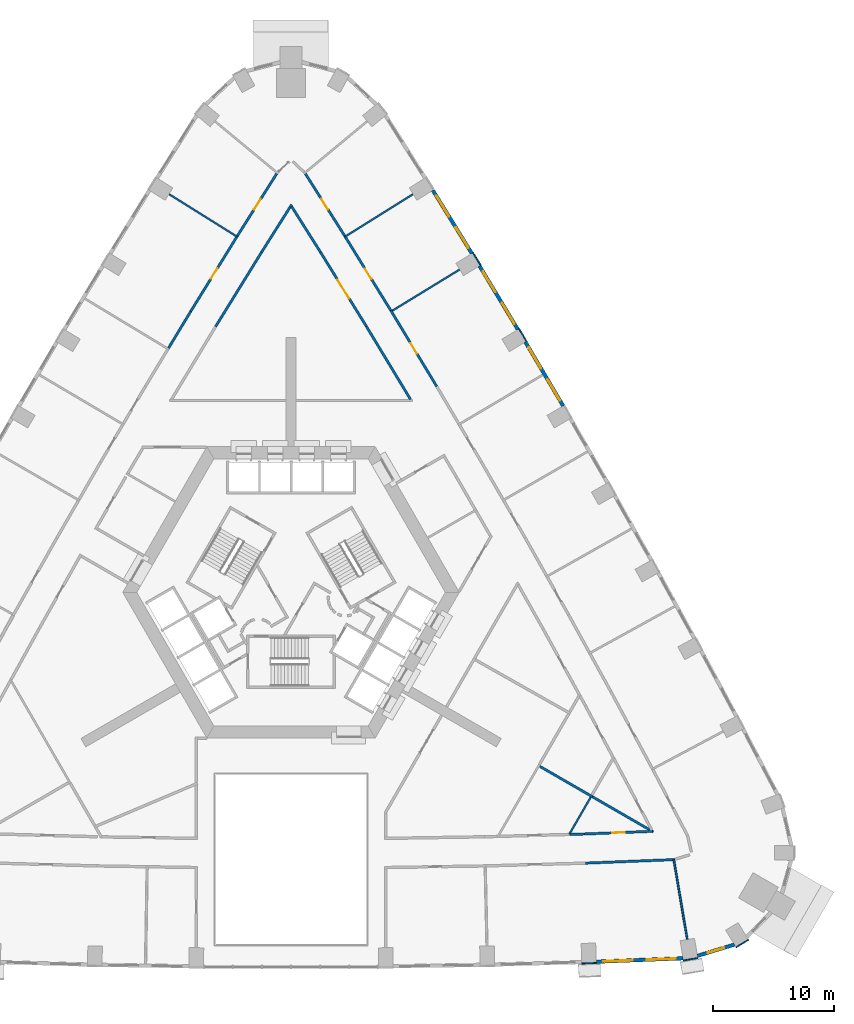
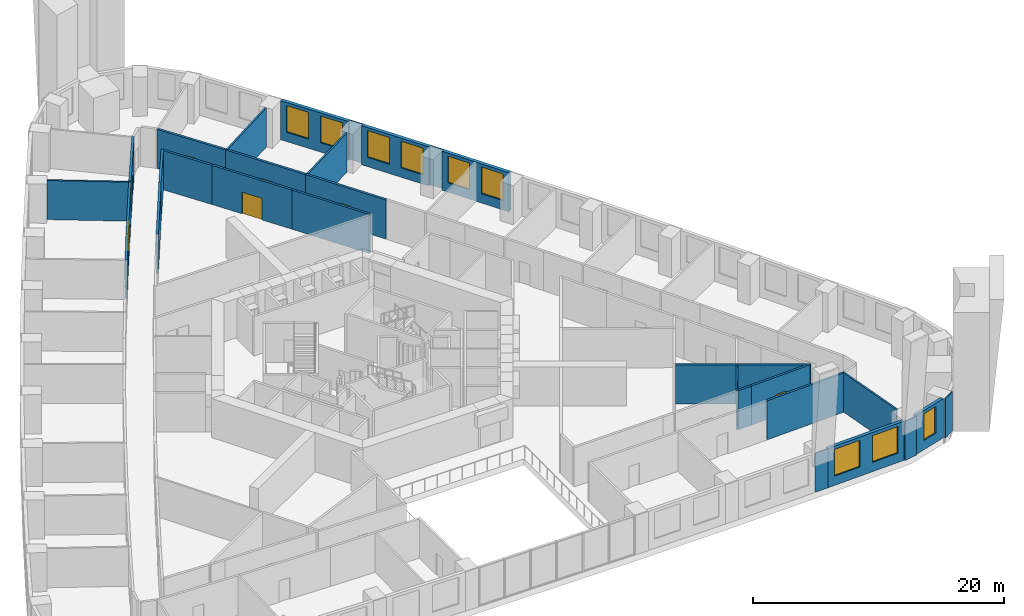
# One storey, part 10 of 15: 31 walls, 9 windows, 7 doors, 16 openings.
"""IFC4 building model written with IfcOpenShell, lengths in metres."""

from ifc_helpers import new_model, si_unit, direction, frame, frame_2d, origin, place, context, subcontext, project, spatial, rectangle, extrude, material, layer, layer_set, type_object, element, fill, save


model = new_model("IFC4")

# Units and contexts
model_context = context("Model", 3, precision=1e-05, world=origin(), true_north=direction((0.0, 1.0)))
body_context = subcontext(model_context, "Body", "Model", "MODEL_VIEW")
ifc_project = project(units=[si_unit("LENGTHUNIT", "METRE"), si_unit("AREAUNIT", "SQUARE_METRE"), si_unit("VOLUMEUNIT", "CUBIC_METRE"), si_unit("PLANEANGLEUNIT", "RADIAN"), si_unit("MASSUNIT", "GRAM", prefix="KILO")], contexts=[model_context])

# Site, building, storey
site_placement = place(None, origin())
site = spatial("IfcSite", under=ifc_project, at=site_placement, CompositionType="ELEMENT")
building_placement = place(site_placement, origin())
building = spatial("IfcBuilding", under=site, at=building_placement, Name="Entoto Arch Interchange Tower", CompositionType="ELEMENT")
storey_placement = place(building_placement, frame((0.0, 0.0, 35.0)))
storey = spatial("IfcBuildingStorey", under=building, at=storey_placement, Name="L06", CompositionType="ELEMENT", Elevation=35.0)

# Walls
ifc_material_1 = material(Name="Gypsum board partition on steel studs", Category="steel")
ifc_layer_1 = layer(ifc_material_1, 0.14990234375)
ifc_layer_set_1 = layer_set([ifc_layer_1], Name="Gypsum board partition on steel studs")
wall_type_1 = type_object("IfcWallType", Name="PARTITION 150", PredefinedType="PARTITIONING", material=ifc_layer_set_1)
wall_1_placement = place(storey_placement, frame((24.675048828125, -14.362060546875, 0.0), z_axis=(0.0, 0.0, 1.0), x_axis=(-0.500187988959, -0.865916841101, 0.0)))
element("IfcWall", 1, at=wall_1_placement, inside=storey, type_object=wall_type_1, Name="wall:L06:p118", PredefinedType="PARTITIONING", context=body_context, shape_type="SweptSolid", body=[
    extrude(rectangle(XDim=3.540771484375, YDim=0.14990234375, at=frame_2d((1.7705078125, 0.0))), origin(), (0.0, 0.0, 1.0), 3.800048828125),
])
wall_2_placement = place(storey_placement, frame((31.514892578125, -19.506103515625, 0.0), z_axis=(0.0, 0.0, 1.0), x_axis=(0.166785823947, -0.985993148521, 0.0)))
element("IfcWall", 2, at=wall_2_placement, inside=storey, type_object=wall_type_1, Name="wall:L06:p127", PredefinedType="PARTITIONING", context=body_context, shape_type="SweptSolid", body=[
    extrude(rectangle(XDim=6.650146484375, YDim=0.14990234375, at=frame_2d((3.3251953125, 0.0))), origin(), (0.0, 0.0, 1.0), 3.800048828125),
])
wall_3_placement = place(storey_placement, frame((8.342041015625, 25.696044921875, 0.0), z_axis=(0.0, 0.0, 1.0), x_axis=(0.853252966465, 0.521497243731, 0.0)))
element("IfcWall", 3, at=wall_3_placement, inside=storey, type_object=wall_type_1, Name="wall:L06:p133", PredefinedType="PARTITIONING", context=body_context, shape_type="SweptSolid", body=[
    extrude(rectangle(XDim=6.481201171875, YDim=0.14990234375, at=frame_2d((3.24072265625, 0.0))), origin(), (0.0, 0.0, 1.0), 3.800048828125),
])
for number, where, z_axis, x_axis, name in (
    (4, (4.4541015625, 31.7958984375, 0.0), (0.0, 0.0, 1.0), (0.847954529694, 0.530068972467, 0.0), "wall:L06:p134"),
    (5, (-4.4541015625, 31.7958984375, 0.0), (0.0, 0.0, 1.0), (-0.847954529694, 0.530068972467, 0.0), "wall:L06:p137"),
):
    element("IfcWall", number, at=place(storey_placement, frame(where, z_axis=z_axis, x_axis=x_axis)), inside=storey, type_object=wall_type_1, Name=name, PredefinedType="PARTITIONING", context=body_context, shape_type="SweptSolid", body=[
        extrude(rectangle(XDim=6.580322265625, YDim=0.14990234375, at=frame_2d((3.2900390625, 0.0))), origin(), (0.0, 0.0, 1.0), 3.800048828125),
    ])
ifc_layer_2 = layer(ifc_material_1, 0.199951171875)
ifc_layer_set_2 = layer_set([ifc_layer_2], Name="Gypsum board partition on steel studs")
wall_type_2 = type_object("IfcWallType", Name="PARTITION 200", PredefinedType="PARTITIONING", material=ifc_layer_set_2)
wall_4_placement = place(storey_placement, frame((9.840087890625, 18.385986328125, 0.0), z_axis=(0.0, 0.0, 1.0), x_axis=(-0.51736780002, 0.85576314451, 0.0)))
element("IfcWall", 6, at=wall_4_placement, inside=storey, type_object=wall_type_2, Name="wall:L06:p008", PredefinedType="PARTITIONING", context=body_context, shape_type="SweptSolid", body=[
    extrude(rectangle(XDim=7.018310546875, YDim=0.199951171875, at=frame_2d((3.50927734375, 0.0))), origin(), (0.0, 0.0, 1.0), 3.800048828125),
])

# Wall, opening, door
wall_5_placement = place(storey_placement, frame((6.208984375, 24.39208984375, 0.0), z_axis=(0.0, 0.0, 1.0), x_axis=(-0.525766851327, 0.850628719269, 0.0)))
wall_5 = element("IfcWall", 7, at=wall_5_placement, inside=storey, type_object=wall_type_2, Name="wall:L06:p009", PredefinedType="PARTITIONING", context=body_context, shape_type="SweptSolid", body=[
    extrude(rectangle(XDim=7.20849609375, YDim=0.199951171875, at=frame_2d((3.604248046875, 0.0))), origin(), (0.0, 0.0, 1.0), 3.800048828125),
])
opening_1_placement = place(wall_5_placement, frame((2.7041015625, 0.0, 0.0)))
opening_1 = element("IfcOpeningElement", 8, at=opening_1_placement, cuts=wall_5, Name="Opening L06-D29", PredefinedType="OPENING", context=body_context, shape_type="SweptSolid", body=[
    extrude(rectangle(XDim=1.800048828125, YDim=2.10009765625, at=frame_2d((0.89990234375, 1.050048828125))), frame((0.0, 0.10986328125, 0.0), z_axis=(0.0, -1.0, 0.0), x_axis=(1.0, 0.0, 0.0)), (0.0, 0.0, 1.0), 0.219970703125),
])
ifc_material_2 = material(Name="Timber door leaf in Steel S235 frame", Category="steel")
door_type_1 = type_object("IfcDoorType", Name="DOOR DD-18 1800x2100", OperationType="DOUBLE_DOOR_SINGLE_SWING", PredefinedType="DOOR", material=ifc_material_2)
door_1_placement = place(opening_1_placement, origin())
door_1 = element("IfcDoor", 9, at=door_1_placement, inside=storey, type_object=door_type_1, Name="door:L06:29", OperationType="DOUBLE_DOOR_SINGLE_SWING", OverallHeight=2.10009765625, OverallWidth=1.800048828125, PredefinedType="DOOR", context=body_context, shape_type="SweptSolid", body=[
    extrude(rectangle(XDim=1.800048828125, YDim=2.10009765625, at=frame_2d((0.89990234375, 1.050048828125))), frame((0.0, 0.02490234375, 0.0), z_axis=(0.0, -1.0, 0.0), x_axis=(1.0, 0.0, 0.0)), (0.0, 0.0, 1.0), 0.050048828125),
])
fill(opening_1, door_1)

# Walls
wall_6_placement = place(storey_placement, frame((2.4189453125, 30.52392578125, 0.0), z_axis=(0.0, 0.0, 1.0), x_axis=(-0.534393348019, 0.845235913573, 0.0)))
element("IfcWall", 10, at=wall_6_placement, inside=storey, type_object=wall_type_2, Name="wall:L06:p010", PredefinedType="PARTITIONING", context=body_context, shape_type="SweptSolid", body=[
    extrude(rectangle(XDim=4.427490234375, YDim=0.199951171875, at=frame_2d((2.2138671875, 0.0))), origin(), (0.0, 0.0, 1.0), 3.800048828125),
])
wall_7_placement = place(storey_placement, frame((0.052978515625, 34.43505859375, 0.0), z_axis=(0.0, 0.0, 1.0), x_axis=(-0.534260976666, -0.845319589748, 0.0)))
element("IfcWall", 11, at=wall_7_placement, inside=storey, type_object=wall_type_2, Name="wall:L06:p011", PredefinedType="PARTITIONING", context=body_context, shape_type="SweptSolid", body=[
    extrude(rectangle(XDim=4.626708984375, YDim=0.199951171875, at=frame_2d((2.3134765625, 0.0))), origin(), (0.0, 0.0, 1.0), 3.800048828125),
])
wall_8_placement = place(storey_placement, frame((-2.4189453125, 30.52392578125, 0.0), z_axis=(0.0, 0.0, 1.0), x_axis=(-0.525766851327, -0.850628719269, 0.0)))
element("IfcWall", 12, at=wall_8_placement, inside=storey, type_object=wall_type_2, Name="wall:L06:p012", PredefinedType="PARTITIONING", context=body_context, shape_type="SweptSolid", body=[
    extrude(rectangle(XDim=7.20849609375, YDim=0.199951171875, at=frame_2d((3.604248046875, 0.0))), origin(), (0.0, 0.0, 1.0), 3.800048828125),
])
wall_9_placement = place(storey_placement, frame((22.97900390625, -17.426025390625, 0.0), z_axis=(0.0, 0.0, 1.0), x_axis=(0.999623609507, 0.027434272674, 0.0)))
element("IfcWall", 13, at=wall_9_placement, inside=storey, type_object=wall_type_2, Name="wall:L06:p021", PredefinedType="PARTITIONING", context=body_context, shape_type="SweptSolid", body=[
    extrude(rectangle(XDim=1.201416015625, YDim=0.199951171875, at=frame_2d((0.6005859375, 0.0))), origin(), (0.0, 0.0, 1.0), 3.800048828125),
])

# Wall, opening, door
wall_10_placement = place(storey_placement, frame((24.179931640625, -17.39306640625, 0.0), z_axis=(0.0, 0.0, 1.0), x_axis=(0.999226657848, 0.039320303228, 0.0)))
wall_10 = element("IfcWall", 14, at=wall_10_placement, inside=storey, type_object=wall_type_2, Name="wall:L06:p022", PredefinedType="PARTITIONING", context=body_context, shape_type="SweptSolid", body=[
    extrude(rectangle(XDim=5.569580078125, YDim=0.199951171875, at=frame_2d((2.78466796875, 0.0))), origin(), (0.0, 0.0, 1.0), 3.800048828125),
])
opening_2_placement = place(wall_10_placement, frame((2.283935546875, 0.0, 0.0)))
opening_2 = element("IfcOpeningElement", 15, at=opening_2_placement, cuts=wall_10, Name="Opening L06-D27", PredefinedType="OPENING", context=body_context, shape_type="SweptSolid", body=[
    extrude(rectangle(XDim=1.0, YDim=2.10009765625, at=frame_2d((0.5, 1.050048828125))), frame((0.0, 0.10986328125, 0.0), z_axis=(0.0, -1.0, 0.0), x_axis=(1.0, 0.0, 0.0)), (0.0, 0.0, 1.0), 0.219970703125),
])
door_type_2 = type_object("IfcDoorType", Name="DOOR DS-10 1000x2100", OperationType="SINGLE_SWING_LEFT", PredefinedType="DOOR", material=ifc_material_2)
door_2_placement = place(opening_2_placement, origin())
door_2 = element("IfcDoor", 16, at=door_2_placement, inside=storey, type_object=door_type_2, Name="door:L06:27", OperationType="SINGLE_SWING_LEFT", OverallHeight=2.10009765625, OverallWidth=1.0, PredefinedType="DOOR", context=body_context, shape_type="SweptSolid", body=[
    extrude(rectangle(XDim=1.0, YDim=2.10009765625, at=frame_2d((0.5, 1.050048828125))), frame((0.0, 0.02490234375, 0.0), z_axis=(0.0, -1.0, 0.0), x_axis=(1.0, 0.0, 0.0)), (0.0, 0.0, 1.0), 0.050048828125),
])
fill(opening_2, door_2)

# Wall
wall_11_placement = place(storey_placement, frame((31.614990234375, -19.5029296875, 0.0), z_axis=(0.0, 0.0, 1.0), x_axis=(-0.999228381006, -0.039276489048, 0.0)))
element("IfcWall", 17, at=wall_11_placement, inside=storey, type_object=wall_type_2, Name="wall:L06:p036", PredefinedType="PARTITIONING", context=body_context, shape_type="SweptSolid", body=[
    extrude(rectangle(XDim=7.359619140625, YDim=0.199951171875, at=frame_2d((3.6796875, 0.0))), origin(), (0.0, 0.0, 1.0), 3.800048828125),
])

# Wall, opening, door
wall_12_placement = place(storey_placement, frame((8.218017578125, 25.7080078125, 0.0), z_axis=(0.0, 0.0, 1.0), x_axis=(0.517278800461, -0.855816944559, 0.0)))
wall_12 = element("IfcWall", 18, at=wall_12_placement, inside=storey, type_object=wall_type_2, Name="wall:L06:p049", PredefinedType="PARTITIONING", context=body_context, shape_type="SweptSolid", body=[
    extrude(rectangle(XDim=7.3076171875, YDim=0.199951171875, at=frame_2d((3.65380859375, 0.0))), origin(), (0.0, 0.0, 1.0), 3.800048828125),
])
opening_3_placement = place(wall_12_placement, frame((3.154052734375, 0.0, 0.0)))
opening_3 = element("IfcOpeningElement", 19, at=opening_3_placement, cuts=wall_12, Name="Opening L06-D08", PredefinedType="OPENING", context=body_context, shape_type="SweptSolid", body=[
    extrude(rectangle(XDim=1.0, YDim=2.10009765625, at=frame_2d((0.5, 1.050048828125))), frame((0.0, 0.10986328125, 0.0), z_axis=(0.0, -1.0, 0.0), x_axis=(1.0, 0.0, 0.0)), (0.0, 0.0, 1.0), 0.219970703125),
])
door_3_placement = place(opening_3_placement, origin())
door_3 = element("IfcDoor", 20, at=door_3_placement, inside=storey, type_object=door_type_2, Name="door:L06:08", OperationType="SINGLE_SWING_LEFT", OverallHeight=2.10009765625, OverallWidth=1.0, PredefinedType="DOOR", context=body_context, shape_type="SweptSolid", body=[
    extrude(rectangle(XDim=1.0, YDim=2.10009765625, at=frame_2d((0.5, 1.050048828125))), frame((0.0, 0.02490234375, 0.0), z_axis=(0.0, -1.0, 0.0), x_axis=(1.0, 0.0, 0.0)), (0.0, 0.0, 1.0), 0.050048828125),
])
fill(opening_3, door_3)

wall_13_placement = place(storey_placement, frame((4.4140625, 31.860107421875, 0.0), z_axis=(0.0, 0.0, 1.0), x_axis=(0.525906013367, -0.850542688584, 0.0)))
wall_13 = element("IfcWall", 21, at=wall_13_placement, inside=storey, type_object=wall_type_2, Name="wall:L06:p051", PredefinedType="PARTITIONING", context=body_context, shape_type="SweptSolid", body=[
    extrude(rectangle(XDim=7.233154296875, YDim=0.199951171875, at=frame_2d((3.61669921875, 0.0))), origin(), (0.0, 0.0, 1.0), 3.800048828125),
])
opening_4_placement = place(wall_13_placement, frame((3.19091796875, 0.0, 0.0)))
opening_4 = element("IfcOpeningElement", 22, at=opening_4_placement, cuts=wall_13, Name="Opening L06-D09", PredefinedType="OPENING", context=body_context, shape_type="SweptSolid", body=[
    extrude(rectangle(XDim=1.0, YDim=2.10009765625, at=frame_2d((0.5, 1.050048828125))), frame((0.0, 0.10986328125, 0.0), z_axis=(0.0, -1.0, 0.0), x_axis=(1.0, 0.0, 0.0)), (0.0, 0.0, 1.0), 0.219970703125),
])
door_4_placement = place(opening_4_placement, origin())
door_4 = element("IfcDoor", 23, at=door_4_placement, inside=storey, type_object=door_type_2, Name="door:L06:09", OperationType="SINGLE_SWING_LEFT", OverallHeight=2.10009765625, OverallWidth=1.0, PredefinedType="DOOR", context=body_context, shape_type="SweptSolid", body=[
    extrude(rectangle(XDim=1.0, YDim=2.10009765625, at=frame_2d((0.5, 1.050048828125))), frame((0.0, 0.02490234375, 0.0), z_axis=(0.0, -1.0, 0.0), x_axis=(1.0, 0.0, 0.0)), (0.0, 0.0, 1.0), 0.050048828125),
])
fill(opening_4, door_4)

wall_14_placement = place(storey_placement, frame((1.123046875, 37.06494140625, 0.0), z_axis=(0.0, 0.0, 1.0), x_axis=(0.534428477307, -0.845213702352, 0.0)))
wall_14 = element("IfcWall", 24, at=wall_14_placement, inside=storey, type_object=wall_type_2, Name="wall:L06:p052", PredefinedType="PARTITIONING", context=body_context, shape_type="SweptSolid", body=[
    extrude(rectangle(XDim=6.157958984375, YDim=0.199951171875, at=frame_2d((3.0791015625, 0.0))), origin(), (0.0, 0.0, 1.0), 3.800048828125),
])
opening_5_placement = place(wall_14_placement, frame((2.5791015625, 0.0, 0.0)))
opening_5 = element("IfcOpeningElement", 25, at=opening_5_placement, cuts=wall_14, Name="Opening L06-D10", PredefinedType="OPENING", context=body_context, shape_type="SweptSolid", body=[
    extrude(rectangle(XDim=1.0, YDim=2.10009765625, at=frame_2d((0.5, 1.050048828125))), frame((0.0, 0.10986328125, 0.0), z_axis=(0.0, -1.0, 0.0), x_axis=(1.0, 0.0, 0.0)), (0.0, 0.0, 1.0), 0.219970703125),
])
door_5_placement = place(opening_5_placement, origin())
door_5 = element("IfcDoor", 26, at=door_5_placement, inside=storey, type_object=door_type_2, Name="door:L06:10", OperationType="SINGLE_SWING_LEFT", OverallHeight=2.10009765625, OverallWidth=1.0, PredefinedType="DOOR", context=body_context, shape_type="SweptSolid", body=[
    extrude(rectangle(XDim=1.0, YDim=2.10009765625, at=frame_2d((0.5, 1.050048828125))), frame((0.0, 0.02490234375, 0.0), z_axis=(0.0, -1.0, 0.0), x_axis=(1.0, 0.0, 0.0)), (0.0, 0.0, 1.0), 0.050048828125),
])
fill(opening_5, door_5)

wall_15_placement = place(storey_placement, frame((-4.4140625, 31.860107421875, 0.0), z_axis=(0.0, 0.0, 1.0), x_axis=(0.534428477307, 0.845213702352, 0.0)))
wall_15 = element("IfcWall", 27, at=wall_15_placement, inside=storey, type_object=wall_type_2, Name="wall:L06:p055", PredefinedType="PARTITIONING", context=body_context, shape_type="SweptSolid", body=[
    extrude(rectangle(XDim=6.157958984375, YDim=0.199951171875, at=frame_2d((3.0791015625, 0.0))), origin(), (0.0, 0.0, 1.0), 3.800048828125),
])
opening_6_placement = place(wall_15_placement, frame((2.5791015625, 0.0, 0.0)))
opening_6 = element("IfcOpeningElement", 28, at=opening_6_placement, cuts=wall_15, Name="Opening L06-D12", PredefinedType="OPENING", context=body_context, shape_type="SweptSolid", body=[
    extrude(rectangle(XDim=1.0, YDim=2.10009765625, at=frame_2d((0.5, 1.050048828125))), frame((0.0, 0.10986328125, 0.0), z_axis=(0.0, -1.0, 0.0), x_axis=(1.0, 0.0, 0.0)), (0.0, 0.0, 1.0), 0.219970703125),
])
door_6_placement = place(opening_6_placement, origin())
door_6 = element("IfcDoor", 29, at=door_6_placement, inside=storey, type_object=door_type_2, Name="door:L06:12", OperationType="SINGLE_SWING_LEFT", OverallHeight=2.10009765625, OverallWidth=1.0, PredefinedType="DOOR", context=body_context, shape_type="SweptSolid", body=[
    extrude(rectangle(XDim=1.0, YDim=2.10009765625, at=frame_2d((0.5, 1.050048828125))), frame((0.0, 0.02490234375, 0.0), z_axis=(0.0, -1.0, 0.0), x_axis=(1.0, 0.0, 0.0)), (0.0, 0.0, 1.0), 0.050048828125),
])
fill(opening_6, door_6)

# Wall
wall_16_placement = place(storey_placement, frame((-10.089111328125, 22.613037109375, 0.0), z_axis=(0.0, 0.0, 1.0), x_axis=(0.517280808896, 0.855815730603, 0.0)))
element("IfcWall", 30, at=wall_16_placement, inside=storey, type_object=wall_type_2, Name="wall:L06:p056", PredefinedType="PARTITIONING", context=body_context, shape_type="SweptSolid", body=[
    extrude(rectangle(XDim=3.541748046875, YDim=0.199951171875, at=frame_2d((1.77099609375, 0.0))), origin(), (0.0, 0.0, 1.0), 3.800048828125),
])

# Wall, opening, door
wall_17_placement = place(storey_placement, frame((-8.257080078125, 25.64404296875, 0.0), z_axis=(0.0, 0.0, 1.0), x_axis=(0.525857693262, 0.850572563887, 0.0)))
wall_17 = element("IfcWall", 31, at=wall_17_placement, inside=storey, type_object=wall_type_2, Name="wall:L06:p057", PredefinedType="PARTITIONING", context=body_context, shape_type="SweptSolid", body=[
    extrude(rectangle(XDim=7.30810546875, YDim=0.199951171875, at=frame_2d((3.654052734375, 0.0))), origin(), (0.0, 0.0, 1.0), 3.800048828125),
])
opening_7_placement = place(wall_17_placement, frame((3.154052734375, 0.0, 0.0)))
opening_7 = element("IfcOpeningElement", 32, at=opening_7_placement, cuts=wall_17, Name="Opening L06-D13", PredefinedType="OPENING", context=body_context, shape_type="SweptSolid", body=[
    extrude(rectangle(XDim=1.0, YDim=2.10009765625, at=frame_2d((0.5, 1.050048828125))), frame((0.0, 0.10986328125, 0.0), z_axis=(0.0, -1.0, 0.0), x_axis=(1.0, 0.0, 0.0)), (0.0, 0.0, 1.0), 0.219970703125),
])
door_7_placement = place(opening_7_placement, origin())
door_7 = element("IfcDoor", 33, at=door_7_placement, inside=storey, type_object=door_type_2, Name="door:L06:13", OperationType="SINGLE_SWING_LEFT", OverallHeight=2.10009765625, OverallWidth=1.0, PredefinedType="DOOR", context=body_context, shape_type="SweptSolid", body=[
    extrude(rectangle(XDim=1.0, YDim=2.10009765625, at=frame_2d((0.5, 1.050048828125))), frame((0.0, 0.02490234375, 0.0), z_axis=(0.0, -1.0, 0.0), x_axis=(1.0, 0.0, 0.0)), (0.0, 0.0, 1.0), 0.050048828125),
])
fill(opening_7, door_7)

# Walls
wall_18_placement = place(storey_placement, frame((20.48193359375, -11.823974609375, 0.0), z_axis=(0.0, 0.0, 1.0), x_axis=(0.866022959057, -0.500004234368, 0.0)))
element("IfcWall", 34, at=wall_18_placement, inside=storey, type_object=wall_type_2, Name="wall:L06:p117", PredefinedType="PARTITIONING", context=body_context, shape_type="SweptSolid", body=[
    extrude(rectangle(XDim=5.0, YDim=0.199951171875, at=frame_2d((2.5, 0.0))), origin(), (0.0, 0.0, 1.0), 3.800048828125),
])
wall_19_placement = place(storey_placement, frame((24.81103515625, -14.325927734375, 0.0), z_axis=(0.0, 0.0, 1.0), x_axis=(0.866076195524, -0.499912015806, 0.0)))
element("IfcWall", 35, at=wall_19_placement, inside=storey, type_object=wall_type_2, Name="wall:L06:p120", PredefinedType="PARTITIONING", context=body_context, shape_type="SweptSolid", body=[
    extrude(rectangle(XDim=5.79736328125, YDim=0.199951171875, at=frame_2d((2.898681640625, 0.0))), origin(), (0.0, 0.0, 1.0), 3.800048828125),
])

# Wall, openings, windows
ifc_material_3 = material(Name="Welded tuff (ignimbrite) cladding, warm buff", Category="masonry")
ifc_layer_3 = layer(ifc_material_3, 0.300048828125)
ifc_layer_set_3 = layer_set([ifc_layer_3], Name="Welded tuff (ignimbrite) cladding, warm buff")
wall_type_3 = type_object("IfcWallType", Name="STONE INFILL WALL 300", PredefinedType="STANDARD", material=ifc_layer_set_3)
wall_20_placement = place(storey_placement, frame((25.134033203125, -27.9140625, 0.0), z_axis=(0.0, 0.0, 1.0), x_axis=(0.999228146648, 0.039282450878, 0.0)))
wall_20 = element("IfcWall", 36, at=wall_20_placement, inside=storey, type_object=wall_type_3, Name="Facade wall S-07 L06", PredefinedType="STANDARD", context=body_context, shape_type="SweptSolid", body=[
    extrude(rectangle(XDim=7.153564453125, YDim=0.300048828125, at=frame_2d((3.57666015625, 0.0))), origin(), (0.0, 0.0, 1.0), 3.800048828125),
])
opening_8_placement = place(wall_20_placement, frame((0.587890625, 0.0, 0.89990234375)))
opening_8 = element("IfcOpeningElement", 37, at=opening_8_placement, cuts=wall_20, Name="Opening WO-A", PredefinedType="OPENING", context=body_context, shape_type="SweptSolid", body=[
    extrude(rectangle(XDim=2.39990234375, YDim=2.60009765625, at=frame_2d((1.199951171875, 1.300048828125))), frame((0.0, 0.16015625, 0.0), z_axis=(0.0, -1.0, 0.0), x_axis=(1.0, 0.0, 0.0)), (0.0, 0.0, 1.0), 0.320068359375),
])
opening_9_placement = place(wall_20_placement, frame((4.1650390625, 0.0, 0.89990234375)))
opening_9 = element("IfcOpeningElement", 38, at=opening_9_placement, cuts=wall_20, Name="Opening WO-A", PredefinedType="OPENING", context=body_context, shape_type="SweptSolid", body=[
    extrude(rectangle(XDim=2.39990234375, YDim=2.60009765625, at=frame_2d((1.199951171875, 1.300048828125))), frame((0.0, 0.16015625, 0.0), z_axis=(0.0, -1.0, 0.0), x_axis=(1.0, 0.0, 0.0)), (0.0, 0.0, 1.0), 0.320068359375),
])
ifc_material_4 = material(Name="Clear glass, low-e double glazed", Category="glass")
window_type_1 = type_object("IfcWindowType", Name="WINDOW WO-A 2400x2600", PartitioningType="DOUBLE_PANEL_VERTICAL", PredefinedType="WINDOW", material=ifc_material_4)
window_1_placement = place(opening_8_placement, origin())
window_1 = element("IfcWindow", 39, at=window_1_placement, inside=storey, type_object=window_type_1, Name="Window WO-A S-07 L06", OverallHeight=2.60009765625, OverallWidth=2.39990234375, PartitioningType="SINGLE_PANEL", PredefinedType="WINDOW", context=body_context, shape_type="SweptSolid", body=[
    extrude(rectangle(XDim=2.39990234375, YDim=2.60009765625, at=frame_2d((1.199951171875, 1.300048828125))), frame((0.0, 0.030029296875, 0.0), z_axis=(0.0, -1.0, 0.0), x_axis=(1.0, 0.0, 0.0)), (0.0, 0.0, 1.0), 0.06005859375),
])
fill(opening_8, window_1)
window_2_placement = place(opening_9_placement, origin())
window_2 = element("IfcWindow", 40, at=window_2_placement, inside=storey, type_object=window_type_1, Name="Window WO-A S-07 L06", OverallHeight=2.60009765625, OverallWidth=2.39990234375, PartitioningType="SINGLE_PANEL", PredefinedType="WINDOW", context=body_context, shape_type="SweptSolid", body=[
    extrude(rectangle(XDim=2.39990234375, YDim=2.60009765625, at=frame_2d((1.199951171875, 1.300048828125))), frame((0.0, 0.030029296875, 0.0), z_axis=(0.0, -1.0, 0.0), x_axis=(1.0, 0.0, 0.0)), (0.0, 0.0, 1.0), 0.06005859375),
])
fill(opening_9, window_2)

# Wall, opening, window
wall_21_placement = place(storey_placement, frame((33.464111328125, -27.43310546875, 0.0), z_axis=(0.0, 0.0, 1.0), x_axis=(0.95648967224, 0.291766185322, 0.0)))
wall_21 = element("IfcWall", 41, at=wall_21_placement, inside=storey, type_object=wall_type_3, Name="Facade wall SE-01 L06", PredefinedType="STANDARD", context=body_context, shape_type="SweptSolid", body=[
    extrude(rectangle(XDim=3.181396484375, YDim=0.300048828125, at=frame_2d((1.5908203125, 0.0))), origin(), (0.0, 0.0, 1.0), 3.800048828125),
])
opening_10_placement = place(wall_21_placement, frame((0.89111328125, 0.0, 0.89990234375)))
opening_10 = element("IfcOpeningElement", 42, at=opening_10_placement, cuts=wall_21, Name="Opening WO-B", PredefinedType="OPENING", context=body_context, shape_type="SweptSolid", body=[
    extrude(rectangle(XDim=1.39990234375, YDim=2.60009765625, at=frame_2d((0.699951171875, 1.300048828125))), frame((0.0, 0.16015625, 0.0), z_axis=(0.0, -1.0, 0.0), x_axis=(1.0, 0.0, 0.0)), (0.0, 0.0, 1.0), 0.320068359375),
])
window_type_2 = type_object("IfcWindowType", Name="WINDOW WO-B 1400x2600", PartitioningType="DOUBLE_PANEL_VERTICAL", PredefinedType="WINDOW", material=ifc_material_4)
window_3_placement = place(opening_10_placement, origin())
window_3 = element("IfcWindow", 43, at=window_3_placement, inside=storey, type_object=window_type_2, Name="Window WO-B SE-01 L06", OverallHeight=2.60009765625, OverallWidth=1.39990234375, PartitioningType="SINGLE_PANEL", PredefinedType="WINDOW", context=body_context, shape_type="SweptSolid", body=[
    extrude(rectangle(XDim=1.39990234375, YDim=2.60009765625, at=frame_2d((0.699951171875, 1.300048828125))), frame((0.0, 0.030029296875, 0.0), z_axis=(0.0, -1.0, 0.0), x_axis=(1.0, 0.0, 0.0)), (0.0, 0.0, 1.0), 0.06005859375),
])
fill(opening_10, window_3)

# Wall, openings, windows
wall_22_placement = place(storey_placement, frame((22.410888671875, 17.85302734375, 0.0), z_axis=(0.0, 0.0, 1.0), x_axis=(-0.508749483145, 0.860914608658, 0.0)))
wall_22 = element("IfcWall", 44, at=wall_22_placement, inside=storey, type_object=wall_type_3, Name="Facade wall NE-06 L06", PredefinedType="STANDARD", context=body_context, shape_type="SweptSolid", body=[
    extrude(rectangle(XDim=6.11669921875, YDim=0.300048828125, at=frame_2d((3.058349609375, 0.0))), origin(), (0.0, 0.0, 1.0), 3.800048828125),
])
opening_11_placement = place(wall_22_placement, frame((0.529052734375, 0.0, 0.89990234375)))
opening_11 = element("IfcOpeningElement", 45, at=opening_11_placement, cuts=wall_22, Name="Opening WO-C", PredefinedType="OPENING", context=body_context, shape_type="SweptSolid", body=[
    extrude(rectangle(XDim=2.0, YDim=2.60009765625, at=frame_2d((1.0, 1.300048828125))), frame((0.0, 0.16015625, 0.0), z_axis=(0.0, -1.0, 0.0), x_axis=(1.0, 0.0, 0.0)), (0.0, 0.0, 1.0), 0.320068359375),
])
opening_12_placement = place(wall_22_placement, frame((3.587890625, 0.0, 0.89990234375)))
opening_12 = element("IfcOpeningElement", 46, at=opening_12_placement, cuts=wall_22, Name="Opening WO-C", PredefinedType="OPENING", context=body_context, shape_type="SweptSolid", body=[
    extrude(rectangle(XDim=2.0, YDim=2.60009765625, at=frame_2d((1.0, 1.300048828125))), frame((0.0, 0.16015625, 0.0), z_axis=(0.0, -1.0, 0.0), x_axis=(1.0, 0.0, 0.0)), (0.0, 0.0, 1.0), 0.320068359375),
])
window_type_3 = type_object("IfcWindowType", Name="WINDOW WO-C 2000x2600", PartitioningType="DOUBLE_PANEL_VERTICAL", PredefinedType="WINDOW", material=ifc_material_4)
window_4_placement = place(opening_11_placement, origin())
window_4 = element("IfcWindow", 47, at=window_4_placement, inside=storey, type_object=window_type_3, Name="Window WO-C NE-06 L06", OverallHeight=2.60009765625, OverallWidth=2.0, PartitioningType="SINGLE_PANEL", PredefinedType="WINDOW", context=body_context, shape_type="SweptSolid", body=[
    extrude(rectangle(XDim=2.0, YDim=2.60009765625, at=frame_2d((1.0, 1.300048828125))), frame((0.0, 0.030029296875, 0.0), z_axis=(0.0, -1.0, 0.0), x_axis=(1.0, 0.0, 0.0)), (0.0, 0.0, 1.0), 0.06005859375),
])
fill(opening_11, window_4)
window_5_placement = place(opening_12_placement, origin())
window_5 = element("IfcWindow", 48, at=window_5_placement, inside=storey, type_object=window_type_3, Name="Window WO-C NE-06 L06", OverallHeight=2.60009765625, OverallWidth=2.0, PartitioningType="SINGLE_PANEL", PredefinedType="WINDOW", context=body_context, shape_type="SweptSolid", body=[
    extrude(rectangle(XDim=2.0, YDim=2.60009765625, at=frame_2d((1.0, 1.300048828125))), frame((0.0, 0.030029296875, 0.0), z_axis=(0.0, -1.0, 0.0), x_axis=(1.0, 0.0, 0.0)), (0.0, 0.0, 1.0), 0.06005859375),
])
fill(opening_12, window_5)

wall_23_placement = place(storey_placement, frame((18.68408203125, 24.14794921875, 0.0), z_axis=(0.0, 0.0, 1.0), x_axis=(-0.517211293816, 0.855857743757, 0.0)))
wall_23 = element("IfcWall", 49, at=wall_23_placement, inside=storey, type_object=wall_type_3, Name="Facade wall NE-07 L06", PredefinedType="STANDARD", context=body_context, shape_type="SweptSolid", body=[
    extrude(rectangle(XDim=6.11572265625, YDim=0.300048828125, at=frame_2d((3.057861328125, 0.0))), origin(), (0.0, 0.0, 1.0), 3.800048828125),
])
opening_13_placement = place(wall_23_placement, frame((0.529052734375, 0.0, 0.89990234375)))
opening_13 = element("IfcOpeningElement", 50, at=opening_13_placement, cuts=wall_23, Name="Opening WO-C", PredefinedType="OPENING", context=body_context, shape_type="SweptSolid", body=[
    extrude(rectangle(XDim=2.0, YDim=2.60009765625, at=frame_2d((1.0, 1.300048828125))), frame((0.0, 0.16015625, 0.0), z_axis=(0.0, -1.0, 0.0), x_axis=(1.0, 0.0, 0.0)), (0.0, 0.0, 1.0), 0.320068359375),
])
opening_14_placement = place(wall_23_placement, frame((3.5869140625, 0.0, 0.89990234375)))
opening_14 = element("IfcOpeningElement", 51, at=opening_14_placement, cuts=wall_23, Name="Opening WO-C", PredefinedType="OPENING", context=body_context, shape_type="SweptSolid", body=[
    extrude(rectangle(XDim=2.0, YDim=2.60009765625, at=frame_2d((1.0, 1.300048828125))), frame((0.0, 0.16015625, 0.0), z_axis=(0.0, -1.0, 0.0), x_axis=(1.0, 0.0, 0.0)), (0.0, 0.0, 1.0), 0.320068359375),
])
window_6_placement = place(opening_13_placement, origin())
window_6 = element("IfcWindow", 52, at=window_6_placement, inside=storey, type_object=window_type_3, Name="Window WO-C NE-07 L06", OverallHeight=2.60009765625, OverallWidth=2.0, PartitioningType="SINGLE_PANEL", PredefinedType="WINDOW", context=body_context, shape_type="SweptSolid", body=[
    extrude(rectangle(XDim=2.0, YDim=2.60009765625, at=frame_2d((1.0, 1.300048828125))), frame((0.0, 0.030029296875, 0.0), z_axis=(0.0, -1.0, 0.0), x_axis=(1.0, 0.0, 0.0)), (0.0, 0.0, 1.0), 0.06005859375),
])
fill(opening_13, window_6)
window_7_placement = place(opening_14_placement, origin())
window_7 = element("IfcWindow", 53, at=window_7_placement, inside=storey, type_object=window_type_3, Name="Window WO-C NE-07 L06", OverallHeight=2.60009765625, OverallWidth=2.0, PartitioningType="SINGLE_PANEL", PredefinedType="WINDOW", context=body_context, shape_type="SweptSolid", body=[
    extrude(rectangle(XDim=2.0, YDim=2.60009765625, at=frame_2d((1.0, 1.300048828125))), frame((0.0, 0.030029296875, 0.0), z_axis=(0.0, -1.0, 0.0), x_axis=(1.0, 0.0, 0.0)), (0.0, 0.0, 1.0), 0.06005859375),
])
fill(opening_14, window_7)

wall_24_placement = place(storey_placement, frame((14.89599609375, 30.404052734375, 0.0), z_axis=(0.0, 0.0, 1.0), x_axis=(-0.525791118496, 0.850613719447, 0.0)))
wall_24 = element("IfcWall", 54, at=wall_24_placement, inside=storey, type_object=wall_type_3, Name="Facade wall NE-08 L06", PredefinedType="STANDARD", context=body_context, shape_type="SweptSolid", body=[
    extrude(rectangle(XDim=6.11669921875, YDim=0.300048828125, at=frame_2d((3.058349609375, 0.0))), origin(), (0.0, 0.0, 1.0), 3.800048828125),
])
opening_15_placement = place(wall_24_placement, frame((0.529052734375, 0.0, 0.89990234375)))
opening_15 = element("IfcOpeningElement", 55, at=opening_15_placement, cuts=wall_24, Name="Opening WO-C", PredefinedType="OPENING", context=body_context, shape_type="SweptSolid", body=[
    extrude(rectangle(XDim=2.0, YDim=2.60009765625, at=frame_2d((1.0, 1.300048828125))), frame((0.0, 0.16015625, 0.0), z_axis=(0.0, -1.0, 0.0), x_axis=(1.0, 0.0, 0.0)), (0.0, 0.0, 1.0), 0.320068359375),
])
opening_16_placement = place(wall_24_placement, frame((3.587890625, 0.0, 0.89990234375)))
opening_16 = element("IfcOpeningElement", 56, at=opening_16_placement, cuts=wall_24, Name="Opening WO-C", PredefinedType="OPENING", context=body_context, shape_type="SweptSolid", body=[
    extrude(rectangle(XDim=2.0, YDim=2.60009765625, at=frame_2d((1.0, 1.300048828125))), frame((0.0, 0.16015625, 0.0), z_axis=(0.0, -1.0, 0.0), x_axis=(1.0, 0.0, 0.0)), (0.0, 0.0, 1.0), 0.320068359375),
])
window_8_placement = place(opening_15_placement, origin())
window_8 = element("IfcWindow", 57, at=window_8_placement, inside=storey, type_object=window_type_3, Name="Window WO-C NE-08 L06", OverallHeight=2.60009765625, OverallWidth=2.0, PartitioningType="SINGLE_PANEL", PredefinedType="WINDOW", context=body_context, shape_type="SweptSolid", body=[
    extrude(rectangle(XDim=2.0, YDim=2.60009765625, at=frame_2d((1.0, 1.300048828125))), frame((0.0, 0.030029296875, 0.0), z_axis=(0.0, -1.0, 0.0), x_axis=(1.0, 0.0, 0.0)), (0.0, 0.0, 1.0), 0.06005859375),
])
fill(opening_15, window_8)
window_9_placement = place(opening_16_placement, origin())
window_9 = element("IfcWindow", 58, at=window_9_placement, inside=storey, type_object=window_type_3, Name="Window WO-C NE-08 L06", OverallHeight=2.60009765625, OverallWidth=2.0, PartitioningType="SINGLE_PANEL", PredefinedType="WINDOW", context=body_context, shape_type="SweptSolid", body=[
    extrude(rectangle(XDim=2.0, YDim=2.60009765625, at=frame_2d((1.0, 1.300048828125))), frame((0.0, 0.030029296875, 0.0), z_axis=(0.0, -1.0, 0.0), x_axis=(1.0, 0.0, 0.0)), (0.0, 0.0, 1.0), 0.06005859375),
])
fill(opening_16, window_9)

# Walls
ifc_layer_4 = layer(ifc_material_3, 0.10009765625)
ifc_layer_set_4 = layer_set([ifc_layer_4], Name="Welded tuff (ignimbrite) cladding, warm buff")
wall_type_4 = type_object("IfcWallType", Name="STONE PIER CLADDING 100", PredefinedType="STANDARD", material=ifc_layer_set_4)
for number, where, z_axis, x_axis, name in (
    (59, (19.387939453125, 23.1708984375, 0.0), (0.0, 0.0, 1.0), (-0.513238760752, 0.858245870635, 0.0), "Stone pier NE07 L06"),
    (60, (15.60888671875, 29.43505859375, 0.0), (0.0, 0.0, 1.0), (-0.521598117945, 0.853191305251, 0.0), "Stone pier NE08 L06"),
):
    element("IfcWall", number, at=place(storey_placement, frame(where, z_axis=z_axis, x_axis=x_axis)), inside=storey, type_object=wall_type_4, Name=name, PredefinedType="STANDARD", context=body_context, shape_type="SweptSolid", body=[
        extrude(rectangle(XDim=1.2001953125, YDim=0.10009765625, at=frame_2d((0.60009765625, 0.0))), origin(), (0.0, 0.0, 1.0), 3.800048828125),
    ])
for number, where, z_axis, x_axis, name in (
    (61, (23.93896484375, -28.056884765625, 0.0), (0.0, 0.0, 1.0), (0.999449640202, 0.033172529292, 0.0), "Stone pier S07 L06"),
    (62, (32.31103515625, -27.80908203125, 0.0), (0.0, 0.0, 1.0), (0.98597830993, 0.166873522011, 0.0), "Stone pier S08 L06"),
):
    element("IfcWall", number, at=place(storey_placement, frame(where, z_axis=z_axis, x_axis=x_axis)), inside=storey, type_object=wall_type_4, Name=name, PredefinedType="STANDARD", context=body_context, shape_type="SweptSolid", body=[
        extrude(rectangle(XDim=1.19970703125, YDim=0.10009765625, at=frame_2d((0.599853515625, 0.0))), origin(), (0.0, 0.0, 1.0), 3.800048828125),
    ])
wall_25_placement = place(storey_placement, frame((36.639892578125, -26.72607421875, 0.0), z_axis=(0.0, 0.0, 1.0), x_axis=(0.854771404281, 0.51900466898, 0.0)))
element("IfcWall", 63, at=wall_25_placement, inside=storey, type_object=wall_type_4, Name="Stone pier SE1 L06", PredefinedType="STANDARD", context=body_context, shape_type="SweptSolid", body=[
    extrude(rectangle(XDim=1.200439453125, YDim=0.10009765625, at=frame_2d((0.60009765625, 0.0))), origin(), (0.0, 0.0, 1.0), 3.800048828125),
])

save(model, "model.ifc")
